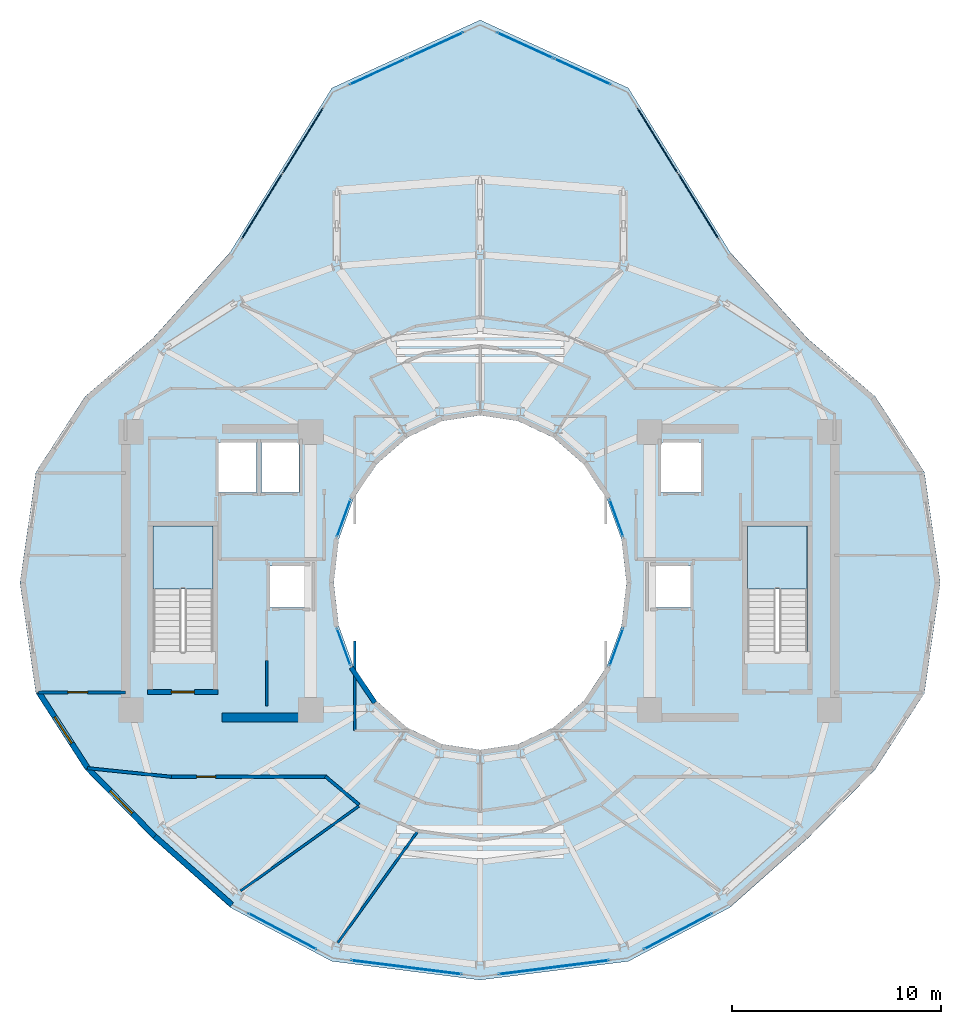
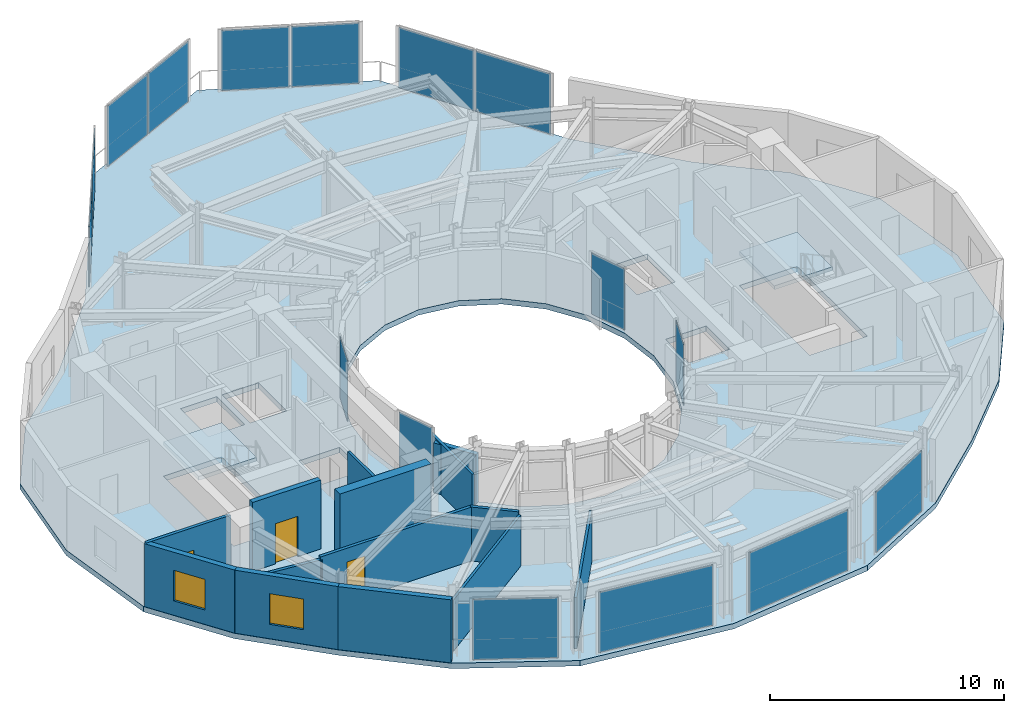
# One storey, part 17 of 24: 16 plates, 14 walls, 3 doors, 3 slabs, 2 windows, 5 openings, 14 elements without a shape of their own.
"""IFC4 building model written with IfcOpenShell, lengths in metres."""

from ifc_helpers import new_model, si_unit, direction, frame, frame_2d, origin, origin_2d, place, context, subcontext, project, spatial, polyline, rectangle, outline, extrude, material, layer, layer_set, type_object, element, fill, aggregate, save


model = new_model("IFC4")

# Units and contexts
model_context = context("Model", 3, precision=1e-05, world=origin(), true_north=direction((0.0, 1.0)))
body_context = subcontext(model_context, "Body", "Model", "MODEL_VIEW")
ifc_project = project(units=[si_unit("LENGTHUNIT", "METRE"), si_unit("AREAUNIT", "SQUARE_METRE"), si_unit("VOLUMEUNIT", "CUBIC_METRE"), si_unit("PLANEANGLEUNIT", "RADIAN"), si_unit("MASSUNIT", "GRAM", prefix="KILO")], contexts=[model_context])

# Site, building, storey
site_placement = place(None, origin())
site = spatial("IfcSite", under=ifc_project, at=site_placement, CompositionType="ELEMENT")
building_placement = place(site_placement, origin())
building = spatial("IfcBuilding", under=site, at=building_placement, Name="Solvane Sanctuary Tower", CompositionType="ELEMENT")
storey_placement = place(building_placement, frame((0.0, 0.0, 253.199951171875)))
storey = spatial("IfcBuildingStorey", under=building, at=storey_placement, Name="L77", CompositionType="ELEMENT", Elevation=253.199951171875)

# Curtain wall, plates
ifc_material_1 = material(Name="Anodised Aluminium 6063-T6", Category="aluminium")
ifc_layer_1 = layer(ifc_material_1, 0.18994140625, Name="Anodised Aluminium 6063-T6")
ifc_layer_set_1 = layer_set([ifc_layer_1], Name="Anodised Aluminium 6063-T6")
curtain_wall_type_1 = type_object("IfcCurtainWallType", Name="Curtain Wall CW-OPER", PredefinedType="NOTDEFINED", material=ifc_layer_set_1)
curtain_wall_1_placement = place(storey_placement, origin())
curtain_wall_1 = element("IfcCurtainWall", 1, at=curtain_wall_1_placement, inside=storey, type_object=curtain_wall_type_1, Name="L77 CW-OPER Facade Run 04", PredefinedType="NOTDEFINED")
ifc_material_2 = material(Name="Dark Ceramic-Fritted Low-E Glass", Category="glass")
ifc_layer_2 = layer(ifc_material_2, 0.0419921875, Name="Dark Ceramic-Fritted Low-E Glass")
ifc_layer_set_2 = layer_set([ifc_layer_2], Name="Dark Ceramic-Fritted Low-E Glass")
plate_type_1 = type_object("IfcPlateType", Name="Plate PN-OPER-VENT", PredefinedType="CURTAIN_PANEL", material=ifc_layer_set_2)
plate_1_placement = place(storey_placement, frame((42.437255859375, 40.978515625, 0.065185546875), z_axis=(0.0, 0.0, 1.0), x_axis=(-0.527391688453, 0.849622273102, 0.0)))
plate_1 = element("IfcPlate", 2, at=plate_1_placement, type_object=plate_type_1, Name="CW-OPER panel 1.1", PredefinedType="CURTAIN_PANEL", context=body_context, shape_type="SweptSolid", body=[
    extrude(rectangle(XDim=3.643798828125, YDim=0.0419921875, at=origin_2d()), origin(), (0.0, 0.0, 1.0), 3.14990234375),
])
plate_2_placement = place(storey_placement, frame((40.475830078125, 44.137939453125, 0.065185546875), z_axis=(0.0, 0.0, 1.0), x_axis=(-0.527391688453, 0.849622273102, 0.0)))
plate_2 = element("IfcPlate", 3, at=plate_2_placement, type_object=plate_type_1, Name="CW-OPER panel 2.1", PredefinedType="CURTAIN_PANEL", context=body_context, shape_type="SweptSolid", body=[
    extrude(rectangle(XDim=3.643798828125, YDim=0.0419921875, at=origin_2d()), origin(), (0.0, 0.0, 1.0), 3.14990234375),
])
aggregate(curtain_wall_1, [plate_1, plate_2])

curtain_wall_2_placement = place(storey_placement, origin())
curtain_wall_2 = element("IfcCurtainWall", 4, at=curtain_wall_2_placement, inside=storey, type_object=curtain_wall_type_1, Name="L77 CW-OPER Facade Run 05", PredefinedType="NOTDEFINED")
plate_3_placement = place(storey_placement, frame((36.892333984375, 47.430908203125, 0.065185546875), z_axis=(0.0, 0.0, 1.0), x_axis=(-0.909261677661, 0.416224941032, 0.0)))
plate_3 = element("IfcPlate", 5, at=plate_3_placement, type_object=plate_type_1, Name="CW-OPER panel 1.1", PredefinedType="CURTAIN_PANEL", context=body_context, shape_type="SweptSolid", body=[
    extrude(rectangle(XDim=2.9404296875, YDim=0.0419921875, at=origin_2d()), origin(), (0.0, 0.0, 1.0), 3.14990234375),
])
plate_4_placement = place(storey_placement, frame((34.150634765625, 48.68603515625, 0.065185546875), z_axis=(0.0, 0.0, 1.0), x_axis=(-0.909261677661, 0.416224941032, 0.0)))
plate_4 = element("IfcPlate", 6, at=plate_4_placement, type_object=plate_type_1, Name="CW-OPER panel 2.1", PredefinedType="CURTAIN_PANEL", context=body_context, shape_type="SweptSolid", body=[
    extrude(rectangle(XDim=2.9404296875, YDim=0.0419921875, at=origin_2d()), origin(), (0.0, 0.0, 1.0), 3.14990234375),
])
aggregate(curtain_wall_2, [plate_3, plate_4])

curtain_wall_3_placement = place(storey_placement, origin())
curtain_wall_3 = element("IfcCurtainWall", 7, at=curtain_wall_3_placement, inside=storey, type_object=curtain_wall_type_1, Name="L77 CW-OPER Facade Run 06", PredefinedType="NOTDEFINED")
plate_5_placement = place(storey_placement, frame((29.849365234375, 48.68603515625, 0.065185546875), z_axis=(0.0, 0.0, 1.0), x_axis=(-0.909261677661, -0.416224941032, 0.0)))
plate_5 = element("IfcPlate", 8, at=plate_5_placement, type_object=plate_type_1, Name="CW-OPER panel 1.1", PredefinedType="CURTAIN_PANEL", context=body_context, shape_type="SweptSolid", body=[
    extrude(rectangle(XDim=2.9404296875, YDim=0.0419921875, at=origin_2d()), origin(), (0.0, 0.0, 1.0), 3.14990234375),
])
plate_6_placement = place(storey_placement, frame((27.107666015625, 47.430908203125, 0.065185546875), z_axis=(0.0, 0.0, 1.0), x_axis=(-0.909261677661, -0.416224941032, 0.0)))
plate_6 = element("IfcPlate", 9, at=plate_6_placement, type_object=plate_type_1, Name="CW-OPER panel 2.1", PredefinedType="CURTAIN_PANEL", context=body_context, shape_type="SweptSolid", body=[
    extrude(rectangle(XDim=2.9404296875, YDim=0.0419921875, at=origin_2d()), origin(), (0.0, 0.0, 1.0), 3.14990234375),
])
aggregate(curtain_wall_3, [plate_5, plate_6])

curtain_wall_4_placement = place(storey_placement, origin())
curtain_wall_4 = element("IfcCurtainWall", 10, at=curtain_wall_4_placement, inside=storey, type_object=curtain_wall_type_1, Name="L77 CW-OPER Facade Run 07", PredefinedType="NOTDEFINED")
plate_7_placement = place(storey_placement, frame((23.524169921875, 44.137939453125, 0.065185546875), z_axis=(0.0, 0.0, 1.0), x_axis=(-0.527391688453, -0.849622273102, 0.0)))
plate_7 = element("IfcPlate", 11, at=plate_7_placement, type_object=plate_type_1, Name="CW-OPER panel 1.1", PredefinedType="CURTAIN_PANEL", context=body_context, shape_type="SweptSolid", body=[
    extrude(rectangle(XDim=3.643798828125, YDim=0.0419921875, at=origin_2d()), origin(), (0.0, 0.0, 1.0), 3.14990234375),
])
plate_8_placement = place(storey_placement, frame((21.562744140625, 40.978515625, 0.065185546875), z_axis=(0.0, 0.0, 1.0), x_axis=(-0.527391688453, -0.849622273102, 0.0)))
plate_8 = element("IfcPlate", 12, at=plate_8_placement, type_object=plate_type_1, Name="CW-OPER panel 2.1", PredefinedType="CURTAIN_PANEL", context=body_context, shape_type="SweptSolid", body=[
    extrude(rectangle(XDim=3.643798828125, YDim=0.0419921875, at=origin_2d()), origin(), (0.0, 0.0, 1.0), 3.14990234375),
])
aggregate(curtain_wall_4, [plate_7, plate_8])

# Curtain wall, plate
curtain_wall_5_placement = place(storey_placement, origin())
curtain_wall_5 = element("IfcCurtainWall", 13, at=curtain_wall_5_placement, inside=storey, type_object=curtain_wall_type_1, Name="L77 CW-OPER Facade Run 16", PredefinedType="NOTDEFINED")
plate_9_placement = place(storey_placement, frame((22.54345703125, 6.324462890625, 0.065185546875), z_axis=(0.0, 0.0, 1.0), x_axis=(0.883980752049, -0.467523293544, 0.0)))
plate_9 = element("IfcPlate", 14, at=plate_9_placement, type_object=plate_type_1, Name="CW-OPER panel 1.1", PredefinedType="CURTAIN_PANEL", context=body_context, shape_type="SweptSolid", body=[
    extrude(rectangle(XDim=3.670654296875, YDim=0.0419921875, at=origin_2d()), origin(), (0.0, 0.0, 1.0), 3.14990234375),
])
aggregate(curtain_wall_5, [plate_9])

curtain_wall_6_placement = place(storey_placement, origin())
curtain_wall_6 = element("IfcCurtainWall", 15, at=curtain_wall_6_placement, inside=storey, type_object=curtain_wall_type_1, Name="L77 CW-OPER Facade Run 17", PredefinedType="NOTDEFINED")
plate_10_placement = place(storey_placement, frame((28.478515625, 4.605224609375, 0.065185546875), z_axis=(0.0, 0.0, 1.0), x_axis=(0.992180050716, -0.124814850727, 0.0)))
plate_10 = element("IfcPlate", 16, at=plate_10_placement, type_object=plate_type_1, Name="CW-OPER panel 1.1", PredefinedType="CURTAIN_PANEL", context=body_context, shape_type="SweptSolid", body=[
    extrude(rectangle(XDim=5.30859375, YDim=0.0419921875, at=origin_2d()), origin(), (0.0, 0.0, 1.0), 3.14990234375),
])
aggregate(curtain_wall_6, [plate_10])

curtain_wall_7_placement = place(storey_placement, origin())
curtain_wall_7 = element("IfcCurtainWall", 17, at=curtain_wall_7_placement, inside=storey, type_object=curtain_wall_type_1, Name="L77 CW-OPER Facade Run 18", PredefinedType="NOTDEFINED")
plate_11_placement = place(storey_placement, frame((35.521484375, 4.605224609375, 0.065185546875), z_axis=(0.0, 0.0, 1.0), x_axis=(0.992180050716, 0.124814850727, 0.0)))
plate_11 = element("IfcPlate", 18, at=plate_11_placement, type_object=plate_type_1, Name="CW-OPER panel 1.1", PredefinedType="CURTAIN_PANEL", context=body_context, shape_type="SweptSolid", body=[
    extrude(rectangle(XDim=5.30859375, YDim=0.0419921875, at=origin_2d()), origin(), (0.0, 0.0, 1.0), 3.14990234375),
])
aggregate(curtain_wall_7, [plate_11])

curtain_wall_8_placement = place(storey_placement, origin())
curtain_wall_8 = element("IfcCurtainWall", 19, at=curtain_wall_8_placement, inside=storey, type_object=curtain_wall_type_1, Name="L77 CW-OPER Facade Run 19", PredefinedType="NOTDEFINED")
plate_12_placement = place(storey_placement, frame((41.45654296875, 6.324462890625, 0.065185546875), z_axis=(0.0, 0.0, 1.0), x_axis=(0.883980752049, 0.467523293544, 0.0)))
plate_12 = element("IfcPlate", 20, at=plate_12_placement, type_object=plate_type_1, Name="CW-OPER panel 1.1", PredefinedType="CURTAIN_PANEL", context=body_context, shape_type="SweptSolid", body=[
    extrude(rectangle(XDim=3.670654296875, YDim=0.0419921875, at=origin_2d()), origin(), (0.0, 0.0, 1.0), 3.14990234375),
])
aggregate(curtain_wall_8, [plate_12])

ifc_layer_3 = layer(ifc_material_1, 0.199951171875, Name="Anodised Aluminium 6063-T6")
ifc_layer_set_3 = layer_set([ifc_layer_3], Name="Anodised Aluminium 6063-T6")
curtain_wall_type_2 = type_object("IfcCurtainWallType", Name="Curtain Wall CW-WELL", PredefinedType="NOTDEFINED", material=ifc_layer_set_3)
curtain_wall_9_placement = place(storey_placement, origin())
curtain_wall_9 = element("IfcCurtainWall", 21, at=curtain_wall_9_placement, inside=storey, type_object=curtain_wall_type_2, Name="L77 Light-Well Glazed Curtain Wall 01", PredefinedType="NOTDEFINED")
ifc_material_3 = material(Name="Clear Laminated Light-Well Glass", Category="glass")
ifc_layer_4 = layer(ifc_material_3, 0.02392578125, Name="Clear Laminated Light-Well Glass")
ifc_layer_set_4 = layer_set([ifc_layer_4], Name="Clear Laminated Light-Well Glass")
plate_type_2 = type_object("IfcPlateType", Name="Plate PN-WELL-GLZ", PredefinedType="CURTAIN_PANEL", material=ifc_layer_set_4)
plate_13_placement = place(storey_placement, frame((38.521728515625, 26.080810546875, 0.065185546875), z_axis=(0.0, 0.0, 1.0), x_axis=(-0.341358483781, 0.939933181429, 0.0)))
plate_13 = element("IfcPlate", 22, at=plate_13_placement, type_object=plate_type_2, Name="CW-WELL panel 1.1", PredefinedType="CURTAIN_PANEL", context=body_context, shape_type="SweptSolid", body=[
    extrude(rectangle(XDim=1.853515625, YDim=0.02392578125, at=origin_2d()), origin(), (0.0, 0.0, 1.0), 3.18994140625),
])
aggregate(curtain_wall_9, [plate_13])

curtain_wall_10_placement = place(storey_placement, origin())
curtain_wall_10 = element("IfcCurtainWall", 23, at=curtain_wall_10_placement, inside=storey, type_object=curtain_wall_type_2, Name="L77 Light-Well Glazed Curtain Wall 10", PredefinedType="NOTDEFINED")
plate_14_placement = place(storey_placement, frame((25.478271484375, 26.080810546875, 0.065185546875), z_axis=(0.0, 0.0, 1.0), x_axis=(-0.341358483781, -0.939933181429, 0.0)))
plate_14 = element("IfcPlate", 24, at=plate_14_placement, type_object=plate_type_2, Name="CW-WELL panel 1.1", PredefinedType="CURTAIN_PANEL", context=body_context, shape_type="SweptSolid", body=[
    extrude(rectangle(XDim=1.853515625, YDim=0.02392578125, at=origin_2d()), origin(), (0.0, 0.0, 1.0), 3.18994140625),
])
aggregate(curtain_wall_10, [plate_14])

curtain_wall_11_placement = place(storey_placement, origin())
curtain_wall_11 = element("IfcCurtainWall", 25, at=curtain_wall_11_placement, inside=storey, type_object=curtain_wall_type_2, Name="L77 Light-Well Glazed Curtain Wall 13", PredefinedType="NOTDEFINED")
plate_15_placement = place(storey_placement, frame((25.478271484375, 19.919189453125, 0.065185546875), z_axis=(0.0, 0.0, 1.0), x_axis=(0.341358483781, -0.939933181429, 0.0)))
plate_15 = element("IfcPlate", 26, at=plate_15_placement, type_object=plate_type_2, Name="CW-WELL panel 1.1", PredefinedType="CURTAIN_PANEL", context=body_context, shape_type="SweptSolid", body=[
    extrude(rectangle(XDim=1.853515625, YDim=0.02392578125, at=origin_2d()), origin(), (0.0, 0.0, 1.0), 3.18994140625),
])
aggregate(curtain_wall_11, [plate_15])

curtain_wall_12_placement = place(storey_placement, origin())
curtain_wall_12 = element("IfcCurtainWall", 27, at=curtain_wall_12_placement, inside=storey, type_object=curtain_wall_type_2, Name="L77 Light-Well Glazed Curtain Wall 22", PredefinedType="NOTDEFINED")
plate_16_placement = place(storey_placement, frame((38.521728515625, 19.919189453125, 0.065185546875), z_axis=(0.0, 0.0, 1.0), x_axis=(0.341358483781, 0.939933181429, 0.0)))
plate_16 = element("IfcPlate", 28, at=plate_16_placement, type_object=plate_type_2, Name="CW-WELL panel 1.1", PredefinedType="CURTAIN_PANEL", context=body_context, shape_type="SweptSolid", body=[
    extrude(rectangle(XDim=1.853515625, YDim=0.02392578125, at=origin_2d()), origin(), (0.0, 0.0, 1.0), 3.18994140625),
])
aggregate(curtain_wall_12, [plate_16])

# Slab
ifc_material_4 = material(Name="Concrete C50/60", Category="concrete")
ifc_layer_5 = layer(ifc_material_4, 0.280029296875, Name="Concrete C50/60")
ifc_layer_set_5 = layer_set([ifc_layer_5], Name="Concrete C50/60")
slab_type_1 = type_object("IfcSlabType", Name="Slab SL-CANT-280", PredefinedType="FLOOR", material=ifc_layer_set_5)
slab_1_placement = place(storey_placement, frame((0.0, 0.0, -0.280029296875)))
element("IfcSlab", 29, at=slab_1_placement, inside=storey, type_object=slab_type_1, Name="L77 Primary Structural Slab", PredefinedType="FLOOR", context=body_context, shape_type="SweptSolid", body=[
    extrude(outline(polyline([(54.0, 23.0), (53.239990234375, 28.283935546875), (50.881103515625, 31.9052734375), (47.6572265625, 34.671875), (43.946044921875, 38.804931640625), (39.088134765625, 46.648193359375), (32.0, 49.89990234375), (24.911865234375, 46.648193359375), (20.053955078125, 38.804931640625), (16.3427734375, 34.671875), (13.118896484375, 31.9052734375), (10.760009765625, 28.283935546875), (10.0, 23.0), (10.760009765625, 17.716064453125), (13.118896484375, 14.056884765625), (16.3427734375, 10.7666015625), (20.053955078125, 7.46826171875), (24.911865234375, 4.8935546875), (32.0, 4.0), (39.088134765625, 4.8935546875), (43.946044921875, 7.46826171875), (47.6572265625, 10.7666015625), (50.881103515625, 14.056884765625), (53.239990234375, 17.716064453125), (54.0, 23.0)]), holes=[polyline([(38.761474609375, 20.929443359375), (38.062255859375, 19.0), (36.94970703125, 17.343017578125), (35.5, 16.07177734375), (33.811767578125, 15.272705078125), (32.0, 15.0), (30.188232421875, 15.272705078125), (28.5, 16.07177734375), (27.05029296875, 17.343017578125), (25.937744140625, 19.0), (25.238525390625, 20.929443359375), (25.0, 23.0), (25.238525390625, 25.070556640625), (25.937744140625, 27.0), (27.05029296875, 28.656982421875), (28.5, 29.92822265625), (30.188232421875, 30.727294921875), (32.0, 31.0), (33.811767578125, 30.727294921875), (35.5, 29.92822265625), (36.94970703125, 28.656982421875), (38.062255859375, 27.0), (38.761474609375, 25.070556640625), (39.0, 23.0), (38.761474609375, 20.929443359375)]), polyline([(16.360107421875, 19.699951171875), (16.360107421875, 25.699951171875), (19.219970703125, 25.699951171875), (19.219970703125, 19.699951171875), (16.360107421875, 19.699951171875)]), polyline([(44.780029296875, 19.699951171875), (44.780029296875, 25.699951171875), (47.639892578125, 25.699951171875), (47.639892578125, 19.699951171875), (44.780029296875, 19.699951171875)]), polyline([(21.949951171875, 23.800048828125), (23.949951171875, 23.800048828125), (23.949951171875, 21.800048828125), (21.949951171875, 21.800048828125), (21.949951171875, 23.800048828125)]), polyline([(40.050048828125, 23.800048828125), (42.050048828125, 23.800048828125), (42.050048828125, 21.800048828125), (40.050048828125, 21.800048828125), (40.050048828125, 23.800048828125)]), polyline([(19.5, 29.699951171875), (21.300048828125, 29.699951171875), (21.300048828125, 27.300048828125), (19.5, 27.300048828125), (19.5, 29.699951171875)]), polyline([(21.550048828125, 29.699951171875), (23.35009765625, 29.699951171875), (23.35009765625, 27.300048828125), (21.550048828125, 27.300048828125), (21.550048828125, 29.699951171875)]), polyline([(40.64990234375, 29.699951171875), (42.550048828125, 29.699951171875), (42.550048828125, 27.300048828125), (40.64990234375, 27.300048828125), (40.64990234375, 29.699951171875)])]), origin(), (0.0, 0.0, 1.0), 0.280029296875),
])

# Stair, slab
ifc_material_5 = material(Name="Concrete C45/55", Category="concrete")
stair_type = type_object("IfcStairType", Name="Stair ST-TOW", PredefinedType="HALF_TURN_STAIR", material=ifc_material_5)
stair_1_placement = place(storey_placement, origin())
stair_1 = element("IfcStair", 30, at=stair_1_placement, inside=storey, type_object=stair_type, Name="L77 Exit Stair ST-1 West Core", PredefinedType="HALF_TURN_STAIR")
ifc_layer_6 = layer(ifc_material_5, 0.199951171875, Name="Concrete C45/55")
ifc_layer_set_6 = layer_set([ifc_layer_6], Name="Concrete C45/55")
slab_type_2 = type_object("IfcSlabType", Name="Slab SL-LAND-180", PredefinedType="LANDING", material=ifc_layer_set_6)
slab_2_placement = place(storey_placement, frame((0.0, 0.0, 1.60009765625)))
slab_2 = element("IfcSlab", 31, at=slab_2_placement, type_object=slab_type_2, Name="ST-1 landing 1", PredefinedType="LANDING", context=body_context, shape_type="SweptSolid", body=[
    extrude(outline(polyline([(19.219970703125, 22.699951171875), (19.219970703125, 25.699951171875), (16.360107421875, 25.699951171875), (16.360107421875, 22.699951171875), (19.219970703125, 22.699951171875)])), origin(), (0.0, 0.0, 1.0), 0.199951171875),
])
aggregate(stair_1, [slab_2])

stair_2_placement = place(storey_placement, origin())
stair_2 = element("IfcStair", 32, at=stair_2_placement, inside=storey, type_object=stair_type, Name="L77 Exit Stair ST-2 East Core", PredefinedType="HALF_TURN_STAIR")
slab_3_placement = place(storey_placement, frame((0.0, 0.0, 1.60009765625)))
slab_3 = element("IfcSlab", 33, at=slab_3_placement, type_object=slab_type_2, Name="ST-2 landing 1", PredefinedType="LANDING", context=body_context, shape_type="SweptSolid", body=[
    extrude(outline(polyline([(47.639892578125, 22.699951171875), (47.639892578125, 25.699951171875), (44.780029296875, 25.699951171875), (44.780029296875, 22.699951171875), (47.639892578125, 22.699951171875)])), origin(), (0.0, 0.0, 1.0), 0.199951171875),
])
aggregate(stair_2, [slab_3])

# Wall
ifc_layer_7 = layer(ifc_material_4, 0.449951171875, Name="Concrete C50/60")
ifc_layer_set_7 = layer_set([ifc_layer_7], Name="Concrete C50/60")
wall_type_1 = type_object("IfcWallType", Name="Wall W-CORE-450", PredefinedType="SHEAR", material=ifc_layer_set_7)
wall_1_placement = place(storey_placement, frame((19.64990234375, 16.550048828125, 0.0), z_axis=(0.0, 0.0, 1.0), x_axis=(1.0, 0.0, 0.0)))
element("IfcWall", 34, at=wall_1_placement, inside=storey, type_object=wall_type_1, Name="L77 Core Shear Wall WC-S", PredefinedType="SHEAR", context=body_context, shape_type="SweptSolid", body=[
    extrude(rectangle(XDim=4.5, YDim=0.449951171875, at=frame_2d((2.25, 0.0))), origin(), (0.0, 0.0, 1.0), 3.60009765625),
])

# Wall, opening, door
ifc_material_6 = material(Name="Acoustic Gypsum Partition Board")
ifc_layer_8 = layer(ifc_material_6, 0.14990234375, Name="Acoustic Gypsum Partition Board")
ifc_layer_set_8 = layer_set([ifc_layer_8], Name="Acoustic Gypsum Partition Board")
wall_type_2 = type_object("IfcWallType", Name="Wall W-CORR-150", PredefinedType="PARTITIONING", material=ifc_layer_set_8)
wall_2_placement = place(storey_placement, frame((10.87548828125, 17.754638671875, 0.0), z_axis=(0.0, 0.0, 1.0), x_axis=(1.0, 0.0, 0.0)))
wall_2 = element("IfcWall", 35, at=wall_2_placement, inside=storey, type_object=wall_type_2, Name="L77 West Shoulder South Wall", PredefinedType="PARTITIONING", context=body_context, shape_type="SweptSolid", body=[
    extrude(rectangle(XDim=4.174560546875, YDim=0.14990234375, at=frame_2d((2.08740234375, 0.0))), origin(), (0.0, 0.0, 1.0), 3.295166015625),
])
opening_1_placement = place(wall_2_placement, frame((1.407470703125, 0.0, 0.0)))
opening_1 = element("IfcOpeningElement", 36, at=opening_1_placement, cuts=wall_2, Name="Opening D-L77-15", PredefinedType="OPENING", context=body_context, shape_type="SweptSolid", body=[
    extrude(rectangle(XDim=0.949951171875, YDim=2.10009765625, at=frame_2d((0.47509765625, 1.050048828125))), frame((0.0, 0.0849609375, 0.0), z_axis=(0.0, -1.0, 0.0), x_axis=(1.0, 0.0, 0.0)), (0.0, 0.0, 1.0), 0.169921875),
])
ifc_material_7 = material(Name="Engineered Tropical Hardwood", Category="wood")
door_type_1 = type_object("IfcDoorType", Name="Door D-ROOM-950", OperationType="NOTDEFINED", PredefinedType="DOOR", material=ifc_material_7)
door_1_placement = place(opening_1_placement, origin())
door_1 = element("IfcDoor", 37, at=door_1_placement, inside=storey, type_object=door_type_1, Name="L77 West Shoulder South Door", OperationType="SINGLE_SWING_LEFT", OverallHeight=2.10009765625, OverallWidth=0.949951171875, PredefinedType="DOOR", context=body_context, shape_type="SweptSolid", body=[
    extrude(rectangle(XDim=0.949951171875, YDim=2.10009765625, at=frame_2d((0.47509765625, 1.050048828125))), frame((0.0, 0.02490234375, 0.0), z_axis=(0.0, -1.0, 0.0), x_axis=(1.0, 0.0, 0.0)), (0.0, 0.0, 1.0), 0.050048828125),
])
fill(opening_1, door_1)

# Wall
wall_3_placement = place(storey_placement, frame((26.208984375, 12.385009765625, 0.0), z_axis=(0.0, 0.0, 1.0), x_axis=(-0.765677451641, 0.643224719711, 0.0)))
element("IfcWall", 38, at=wall_3_placement, inside=storey, type_object=wall_type_2, Name="L77 SW Corner Throat Wall", PredefinedType="PARTITIONING", context=body_context, shape_type="SweptSolid", body=[
    extrude(rectangle(XDim=2.10546875, YDim=0.14990234375, at=frame_2d((1.052734375, 0.0))), origin(), (0.0, 0.0, 1.0), 2.816162109375),
])

# Wall, opening, door
wall_4_placement = place(storey_placement, frame((17.14990234375, 13.719970703125, 0.0), z_axis=(0.0, 0.0, 1.0), x_axis=(1.0, 0.0, 0.0)))
wall_4 = element("IfcWall", 39, at=wall_4_placement, inside=storey, type_object=wall_type_2, Name="L77 SW Corner Corridor Wall", PredefinedType="PARTITIONING", context=body_context, shape_type="SweptSolid", body=[
    extrude(rectangle(XDim=7.52001953125, YDim=0.14990234375, at=frame_2d((3.760009765625, 0.0))), origin(), (0.0, 0.0, 1.0), 2.816162109375),
])
opening_2_placement = place(wall_4_placement, frame((1.300048828125, 0.0, 0.0)))
opening_2 = element("IfcOpeningElement", 40, at=opening_2_placement, cuts=wall_4, Name="Opening D-L77-19", PredefinedType="OPENING", context=body_context, shape_type="SweptSolid", body=[
    extrude(rectangle(XDim=0.89990234375, YDim=2.10009765625, at=frame_2d((0.449951171875, 1.050048828125))), frame((0.0, 0.0849609375, 0.0), z_axis=(0.0, -1.0, 0.0), x_axis=(1.0, 0.0, 0.0)), (0.0, 0.0, 1.0), 0.169921875),
])
door_type_2 = type_object("IfcDoorType", Name="Door D-WET-900", OperationType="NOTDEFINED", PredefinedType="DOOR", material=ifc_material_7)
door_2_placement = place(opening_2_placement, origin())
door_2 = element("IfcDoor", 41, at=door_2_placement, inside=storey, type_object=door_type_2, Name="L77 SW Corner Salon Door", OperationType="SINGLE_SWING_LEFT", OverallHeight=2.10009765625, OverallWidth=0.89990234375, PredefinedType="DOOR", context=body_context, shape_type="SweptSolid", body=[
    extrude(rectangle(XDim=0.89990234375, YDim=2.10009765625, at=frame_2d((0.449951171875, 1.050048828125))), frame((0.0, 0.02490234375, 0.0), z_axis=(0.0, -1.0, 0.0), x_axis=(1.0, 0.0, 0.0)), (0.0, 0.0, 1.0), 0.050048828125),
])
fill(opening_2, door_2)

# Wall
wall_5_placement = place(storey_placement, frame((17.249755859375, 13.71484375, 0.0), z_axis=(0.0, 0.0, 1.0), x_axis=(-0.994734711466, 0.102483431859, 0.0)))
element("IfcWall", 42, at=wall_5_placement, inside=storey, type_object=wall_type_2, Name="L77 SW Corner Wing Wall", PredefinedType="PARTITIONING", context=body_context, shape_type="SweptSolid", body=[
    extrude(rectangle(XDim=4.04736328125, YDim=0.14990234375, at=frame_2d((2.023681640625, 0.0))), origin(), (0.0, 0.0, 1.0), 2.66015625),
])

# Wall, opening, window
ifc_material_8 = material(Name="Precast concrete C40/50", Category="concrete")
ifc_layer_9 = layer(ifc_material_8, 0.260009765625, Name="Precast concrete C40/50")
ifc_layer_set_9 = layer_set([ifc_layer_9], Name="Precast concrete C40/50")
wall_type_3 = type_object("IfcWallType", Name="Wall W-EXT-250", PredefinedType="STANDARD", material=ifc_layer_set_9)
wall_6_placement = place(storey_placement, frame((10.895263671875, 17.76123046875, 0.0), z_axis=(0.0, 0.0, 1.0), x_axis=(0.542641766008, -0.839964233634, 0.0)))
wall_6 = element("IfcWall", 43, at=wall_6_placement, inside=storey, type_object=wall_type_3, Name="L77 Ceramic-Printed Facade Wall 13", PredefinedType="STANDARD", context=body_context, shape_type="SweptSolid", body=[
    extrude(rectangle(XDim=4.319091796875, YDim=0.260009765625, at=frame_2d((2.15966796875, 0.0))), origin(), (0.0, 0.0, 1.0), 3.2900390625),
])
opening_3_placement = place(wall_6_placement, frame((1.40966796875, 0.0, 0.75)))
opening_3 = element("IfcOpeningElement", 44, at=opening_3_placement, cuts=wall_6, Name="Opening WN-OPER-1500", PredefinedType="OPENING", context=body_context, shape_type="SweptSolid", body=[
    extrude(rectangle(XDim=1.5, YDim=1.60009765625, at=frame_2d((0.75, 0.800048828125))), frame((0.0, 0.139892578125, 0.0), z_axis=(0.0, -1.0, 0.0), x_axis=(1.0, 0.0, 0.0)), (0.0, 0.0, 1.0), 0.280029296875),
])
window_type = type_object("IfcWindowType", Name="Window WN-OPER-1500", PartitioningType="SINGLE_PANEL", PredefinedType="WINDOW", material=ifc_material_2)
window_1_placement = place(opening_3_placement, origin())
window_1 = element("IfcWindow", 45, at=window_1_placement, inside=storey, type_object=window_type, Name="L77 Operable Facade Window 13", OverallHeight=1.60009765625, OverallWidth=1.5, PartitioningType="SINGLE_PANEL", PredefinedType="WINDOW", context=body_context, shape_type="SweptSolid", body=[
    extrude(rectangle(XDim=1.5, YDim=1.60009765625, at=frame_2d((0.75, 0.800048828125))), frame((0.0, 0.030029296875, 0.0), z_axis=(0.0, -1.0, 0.0), x_axis=(1.0, 0.0, 0.0)), (0.0, 0.0, 1.0), 0.06005859375),
])
fill(opening_3, window_1)

wall_7_placement = place(storey_placement, frame((13.239013671875, 14.13330078125, 0.0), z_axis=(0.0, 0.0, 1.0), x_axis=(0.700642973333, -0.713512034881, 0.0)))
wall_7 = element("IfcWall", 46, at=wall_7_placement, inside=storey, type_object=wall_type_3, Name="L77 Ceramic-Printed Facade Wall 14", PredefinedType="STANDARD", context=body_context, shape_type="SweptSolid", body=[
    extrude(rectangle(XDim=4.572021484375, YDim=0.260009765625, at=frame_2d((2.2861328125, 0.0))), origin(), (0.0, 0.0, 1.0), 3.2900390625),
])
opening_4_placement = place(wall_7_placement, frame((1.535888671875, 0.0, 0.75)))
opening_4 = element("IfcOpeningElement", 47, at=opening_4_placement, cuts=wall_7, Name="Opening WN-OPER-1500", PredefinedType="OPENING", context=body_context, shape_type="SweptSolid", body=[
    extrude(rectangle(XDim=1.5, YDim=1.60009765625, at=frame_2d((0.75, 0.800048828125))), frame((0.0, 0.139892578125, 0.0), z_axis=(0.0, -1.0, 0.0), x_axis=(1.0, 0.0, 0.0)), (0.0, 0.0, 1.0), 0.280029296875),
])
window_2_placement = place(opening_4_placement, origin())
window_2 = element("IfcWindow", 48, at=window_2_placement, inside=storey, type_object=window_type, Name="L77 Operable Facade Window 14", OverallHeight=1.60009765625, OverallWidth=1.5, PartitioningType="SINGLE_PANEL", PredefinedType="WINDOW", context=body_context, shape_type="SweptSolid", body=[
    extrude(rectangle(XDim=1.5, YDim=1.60009765625, at=frame_2d((0.75, 0.800048828125))), frame((0.0, 0.030029296875, 0.0), z_axis=(0.0, -1.0, 0.0), x_axis=(1.0, 0.0, 0.0)), (0.0, 0.0, 1.0), 0.06005859375),
])
fill(opening_4, window_2)

# Walls
wall_8_placement = place(storey_placement, frame((16.4423828125, 10.87109375, 0.0), z_axis=(0.0, 0.0, 1.0), x_axis=(0.748165854006, -0.663511759428, 0.0)))
element("IfcWall", 49, at=wall_8_placement, inside=storey, type_object=wall_type_3, Name="L77 Ceramic-Printed Facade Wall 15", PredefinedType="STANDARD", context=body_context, shape_type="SweptSolid", body=[
    extrude(rectangle(XDim=4.9287109375, YDim=0.260009765625, at=frame_2d((2.46435546875, 0.0))), origin(), (0.0, 0.0, 1.0), 3.2900390625),
])
ifc_layer_10 = layer(ifc_material_8, 0.22998046875, Name="Precast concrete C40/50")
ifc_layer_set_10 = layer_set([ifc_layer_10], Name="Precast concrete C40/50")
wall_type_4 = type_object("IfcWallType", Name="Wall W-EXT-SP220", PredefinedType="STANDARD", material=ifc_layer_set_10)
wall_9_placement = place(storey_placement, frame((25.833984375, 18.93994140625, 0.0), z_axis=(0.0, 0.0, 1.0), x_axis=(0.558197800898, -0.829707909492, 0.0)))
element("IfcWall", 50, at=wall_9_placement, inside=storey, type_object=wall_type_4, Name="L77 Central Light-Well Wall 14", PredefinedType="STANDARD", context=body_context, shape_type="SweptSolid", body=[
    extrude(rectangle(XDim=2.02685546875, YDim=0.22998046875, at=frame_2d((1.013427734375, 0.0))), origin(), (0.0, 0.0, 1.0), 2.60009765625),
])
ifc_layer_11 = layer(ifc_material_6, 0.1201171875, Name="Acoustic Gypsum Partition Board")
ifc_layer_set_11 = layer_set([ifc_layer_11], Name="Acoustic Gypsum Partition Board")
wall_type_5 = type_object("IfcWallType", Name="Wall W-MOV-100", PredefinedType="MOVABLE", material=ifc_layer_set_11)
wall_10_placement = place(storey_placement, frame((26.206298828125, 12.317626953125, 0.0), z_axis=(0.0, 0.0, 1.0), x_axis=(-0.812763742602, -0.582593424879, 0.0)))
element("IfcWall", 51, at=wall_10_placement, inside=storey, type_object=wall_type_5, Name="L77 Sky Hall Radial Partition 240", PredefinedType="MOVABLE", context=body_context, shape_type="SweptSolid", body=[
    extrude(rectangle(XDim=6.965576171875, YDim=0.1201171875, at=frame_2d((3.48291015625, 0.0))), origin(), (0.0, 0.0, 1.0), 2.66015625),
])
wall_11_placement = place(storey_placement, frame((28.9921875, 11.076416015625, 0.0), z_axis=(0.0, 0.0, 1.0), x_axis=(-0.582726066442, -0.812668648029, 0.0)))
element("IfcWall", 52, at=wall_11_placement, inside=storey, type_object=wall_type_5, Name="L77 Sky Hall Radial Partition 255", PredefinedType="MOVABLE", context=body_context, shape_type="SweptSolid", body=[
    extrude(rectangle(XDim=6.514892578125, YDim=0.1201171875, at=frame_2d((3.25732421875, 0.0))), origin(), (0.0, 0.0, 1.0), 2.66015625),
])
ifc_layer_12 = layer(ifc_material_6, 0.125, Name="Acoustic Gypsum Partition Board")
ifc_layer_set_12 = layer_set([ifc_layer_12], Name="Acoustic Gypsum Partition Board")
wall_type_6 = type_object("IfcWallType", Name="Wall W-PART-125", PredefinedType="PARTITIONING", material=ifc_layer_set_12)
wall_12_placement = place(storey_placement, frame((21.800048828125, 17.10009765625, 0.0), z_axis=(0.0, 0.0, 1.0), x_axis=(0.0, 1.0, 0.0)))
element("IfcWall", 53, at=wall_12_placement, inside=storey, type_object=wall_type_6, Name="L77 Reclaimed Room Closer Wall PMW-1", PredefinedType="PARTITIONING", context=body_context, shape_type="SweptSolid", body=[
    extrude(rectangle(XDim=2.179931640625, YDim=0.125, at=frame_2d((1.08984375, 0.0))), origin(), (0.0, 0.0, 1.0), 3.295166015625),
])
wall_13_placement = place(storey_placement, frame((26.0, 15.919921875, 0.0), z_axis=(0.0, 0.0, 1.0), x_axis=(0.0, 1.0, 0.0)))
element("IfcWall", 54, at=wall_13_placement, inside=storey, type_object=wall_type_6, Name="L77 Bridge Alcove Wall 5", PredefinedType="PARTITIONING", context=body_context, shape_type="SweptSolid", body=[
    extrude(rectangle(XDim=4.280029296875, YDim=0.125, at=frame_2d((2.14013671875, 0.0))), origin(), (0.0, 0.0, 1.0), 2.672119140625),
])

# Wall, opening, door
ifc_layer_13 = layer(ifc_material_4, 0.25, Name="Concrete C50/60")
ifc_layer_set_13 = layer_set([ifc_layer_13], Name="Concrete C50/60")
wall_type_7 = type_object("IfcWallType", Name="Wall W-SHAFT-250", PredefinedType="SOLIDWALL", material=ifc_layer_set_13)
wall_14_placement = place(storey_placement, frame((16.10498046875, 17.77001953125, 0.0), z_axis=(0.0, 0.0, 1.0), x_axis=(1.0, 0.0, 0.0)))
wall_14 = element("IfcWall", 55, at=wall_14_placement, inside=storey, type_object=wall_type_7, Name="L77 ST-1 Load-Bearing Shaft Wall S", PredefinedType="SOLIDWALL", context=body_context, shape_type="SweptSolid", body=[
    extrude(rectangle(XDim=3.3701171875, YDim=0.25, at=frame_2d((1.68505859375, 0.0))), origin(), (0.0, 0.0, 1.0), 3.60009765625),
])
opening_5_placement = place(wall_14_placement, frame((1.135009765625, 0.0, 0.0)))
opening_5 = element("IfcOpeningElement", 56, at=opening_5_placement, cuts=wall_14, Name="Opening D-L77-01", PredefinedType="OPENING", context=body_context, shape_type="SweptSolid", body=[
    extrude(rectangle(XDim=1.10009765625, YDim=2.10009765625, at=frame_2d((0.550048828125, 1.050048828125))), frame((0.0, 0.135009765625, 0.0), z_axis=(0.0, -1.0, 0.0), x_axis=(1.0, 0.0, 0.0)), (0.0, 0.0, 1.0), 0.27001953125),
])
ifc_material_9 = material(Name="Architectural Stainless Steel 316", Category="steel")
door_type_3 = type_object("IfcDoorType", Name="Door D-STAIR", OperationType="NOTDEFINED", PredefinedType="DOOR", material=ifc_material_9)
door_3_placement = place(opening_5_placement, origin())
door_3 = element("IfcDoor", 57, at=door_3_placement, inside=storey, type_object=door_type_3, Name="L77 ST-1 Exit Stair Fire Door", OperationType="SINGLE_SWING_LEFT", OverallHeight=2.10009765625, OverallWidth=1.10009765625, PredefinedType="DOOR", context=body_context, shape_type="SweptSolid", body=[
    extrude(rectangle(XDim=1.10009765625, YDim=2.10009765625, at=frame_2d((0.550048828125, 1.050048828125))), frame((0.0, 0.02490234375, 0.0), z_axis=(0.0, -1.0, 0.0), x_axis=(1.0, 0.0, 0.0)), (0.0, 0.0, 1.0), 0.050048828125),
])
fill(opening_5, door_3)

save(model, "model.ifc")
